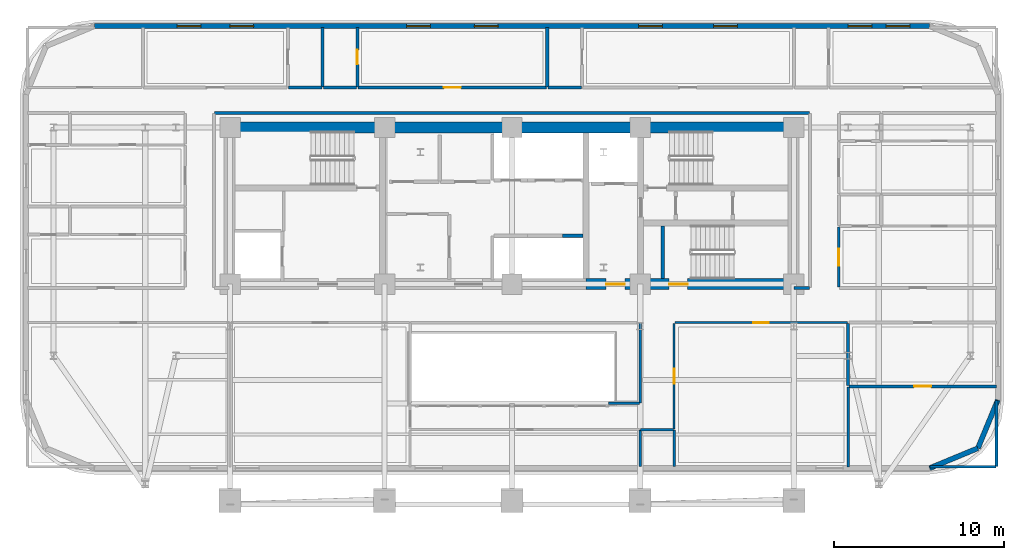
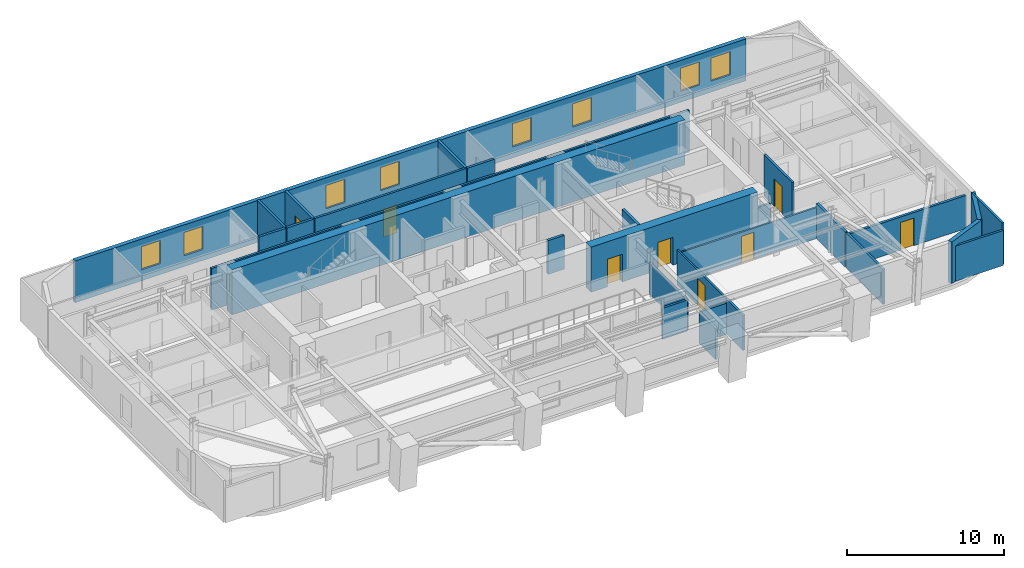
# One storey, part 9 of 14: 29 walls, 8 doors, 8 windows, 16 openings.
"""IFC4 building model written with IfcOpenShell, lengths in metres."""

from ifc_helpers import new_model, si_unit, direction, frame, frame_2d, origin, place, context, subcontext, project, spatial, rectangle, extrude, material, layer, layer_set, type_object, element, fill, save


model = new_model("IFC4")

# Units and contexts
model_context = context("Model", 3, precision=1e-05, world=origin(), true_north=direction((0.0, 1.0)))
body_context = subcontext(model_context, "Body", "Model", "MODEL_VIEW")
ifc_project = project(units=[si_unit("LENGTHUNIT", "METRE"), si_unit("AREAUNIT", "SQUARE_METRE"), si_unit("VOLUMEUNIT", "CUBIC_METRE"), si_unit("PLANEANGLEUNIT", "RADIAN"), si_unit("MASSUNIT", "GRAM", prefix="KILO")], contexts=[model_context])

# Site, building, storey
site_placement = place(None, origin())
site = spatial("IfcSite", under=ifc_project, at=site_placement, CompositionType="ELEMENT")
building_placement = place(site_placement, origin())
building = spatial("IfcBuilding", under=site, at=building_placement, Name="Zarnavel Station Tower", CompositionType="ELEMENT")
storey_placement = place(building_placement, frame((0.0, 0.0, 122.300048828125)))
storey = spatial("IfcBuildingStorey", under=building, at=storey_placement, Name="L33", CompositionType="ELEMENT", Elevation=122.300048828125)

# Wall
ifc_material_1 = material(Name="Concrete C60/75", Category="concrete")
ifc_layer_1 = layer(ifc_material_1, 0.64990234375)
ifc_layer_set_1 = layer_set([ifc_layer_1], Name="CW_650")
wall_type_1 = type_object("IfcWallType", Name="CW_650", PredefinedType="SHEAR", material=ifc_layer_set_1)
wall_1_placement = place(storey_placement, frame((12.14990234375, 37.050048828125, 0.0), z_axis=(0.0, 0.0, 1.0), x_axis=(1.0, 0.0, 0.0)))
element("IfcWall", 1, at=wall_1_placement, inside=storey, type_object=wall_type_1, Name="L33 Rear Core Shear Wall N", PredefinedType="SHEAR", context=body_context, shape_type="SweptSolid", body=[
    extrude(rectangle(XDim=33.22998046875, YDim=0.64990234375, at=frame_2d((16.614990234375, 0.0))), origin(), (0.0, 0.0, 1.0), 3.5),
])

# Wall, openings, doors
wall_2_placement = place(storey_placement, frame((45.3798828125, 27.820068359375, 0.0), z_axis=(0.0, 0.0, 1.0), x_axis=(-1.0, 0.0, 0.0)))
wall_2 = element("IfcWall", 2, at=wall_2_placement, inside=storey, type_object=wall_type_1, Name="L33 Rear Core Shear Wall S-E", PredefinedType="SHEAR", context=body_context, shape_type="SweptSolid", body=[
    extrude(rectangle(XDim=12.22998046875, YDim=0.64990234375, at=frame_2d((6.114990234375, 0.0))), origin(), (0.0, 0.0, 1.0), 3.5),
])
opening_1_placement = place(wall_2_placement, frame((9.929931640625, 0.0, 0.0)))
opening_1 = element("IfcOpeningElement", 3, at=opening_1_placement, cuts=wall_2, Name="Opening FD01", PredefinedType="OPENING", context=body_context, shape_type="SweptSolid", body=[
    extrude(rectangle(XDim=1.10009765625, YDim=2.14990234375, at=frame_2d((0.550048828125, 1.074951171875))), frame((0.0, 0.3349609375, 0.0), z_axis=(0.0, -1.0, 0.0), x_axis=(1.0, 0.0, 0.0)), (0.0, 0.0, 1.0), 0.669921875),
])
opening_2_placement = place(wall_2_placement, frame((6.22998046875, 0.0, 0.0)))
opening_2 = element("IfcOpeningElement", 4, at=opening_2_placement, cuts=wall_2, Name="Opening FD01", PredefinedType="OPENING", context=body_context, shape_type="SweptSolid", body=[
    extrude(rectangle(XDim=1.10009765625, YDim=2.14990234375, at=frame_2d((0.550048828125, 1.074951171875))), frame((0.0, 0.3349609375, 0.0), z_axis=(0.0, -1.0, 0.0), x_axis=(1.0, 0.0, 0.0)), (0.0, 0.0, 1.0), 0.669921875),
])
ifc_material_2 = material(Name="Painted Galvanised Steel and Hardwood Leaf", Category="steel")
door_type_1 = type_object("IfcDoorType", Name="ID_STAIR_1100", OperationType="NOTDEFINED", PredefinedType="DOOR", material=ifc_material_2)
door_1_placement = place(opening_1_placement, origin())
door_1 = element("IfcDoor", 5, at=door_1_placement, inside=storey, type_object=door_type_1, Name="L33 East Firefighting Lobby Door", OperationType="SINGLE_SWING_LEFT", OverallHeight=2.14990234375, OverallWidth=1.10009765625, PredefinedType="DOOR", context=body_context, shape_type="SweptSolid", body=[
    extrude(rectangle(XDim=1.10009765625, YDim=2.14990234375, at=frame_2d((0.550048828125, 1.074951171875))), frame((0.0, 0.02490234375, 0.0), z_axis=(0.0, -1.0, 0.0), x_axis=(1.0, 0.0, 0.0)), (0.0, 0.0, 1.0), 0.050048828125),
])
fill(opening_1, door_1)
door_2_placement = place(opening_2_placement, origin())
door_2 = element("IfcDoor", 6, at=door_2_placement, inside=storey, type_object=door_type_1, Name="L33 Stair ST3 Corridor Fire Door", OperationType="SINGLE_SWING_RIGHT", OverallHeight=2.14990234375, OverallWidth=1.10009765625, PredefinedType="DOOR", context=body_context, shape_type="SweptSolid", body=[
    extrude(rectangle(XDim=1.10009765625, YDim=2.14990234375, at=frame_2d((0.550048828125, 1.074951171875))), frame((0.0, 0.02490234375, 0.0), z_axis=(0.0, -1.0, 0.0), x_axis=(1.0, 0.0, 0.0)), (0.0, 0.0, 1.0), 0.050048828125),
])
fill(opening_2, door_2)

# Walls
ifc_material_3 = material(Name="Precast concrete C45/55 (Dark Basalt Finish)", Category="masonry")
ifc_layer_2 = layer(ifc_material_3, 0.300048828125)
ifc_layer_set_2 = layer_set([ifc_layer_2], Name="EW_BASALT_300")
wall_type_2 = type_object("IfcWallType", Name="EW_BASALT_300", PredefinedType="SOLIDWALL", material=ifc_layer_set_2)
wall_3_placement = place(storey_placement, frame((56.24267578125, 18.157470703125, 0.0), z_axis=(0.0, 0.0, 1.0), x_axis=(-0.923882414032, -0.382676475685, 0.0)))
element("IfcWall", 7, at=wall_3_placement, inside=storey, type_object=wall_type_2, Name="L33 Exterior Basalt Masonry Frame Wall 01", PredefinedType="SOLIDWALL", context=body_context, shape_type="SweptSolid", body=[
    extrude(rectangle(XDim=3.076904296875, YDim=0.300048828125, at=frame_2d((1.53857421875, 0.0))), origin(), (0.0, 0.0, 1.0), 3.239990234375),
])
wall_4_placement = place(storey_placement, frame((57.419921875, 21.0, 0.0), z_axis=(0.0, 0.0, 1.0), x_axis=(-0.382636798336, -0.92389884758, 0.0)))
element("IfcWall", 8, at=wall_4_placement, inside=storey, type_object=wall_type_2, Name="L33 Exterior Basalt Masonry Frame Wall 02", PredefinedType="SOLIDWALL", context=body_context, shape_type="SweptSolid", body=[
    extrude(rectangle(XDim=3.07666015625, YDim=0.300048828125, at=frame_2d((1.538330078125, 0.0))), origin(), (0.0, 0.0, 1.0), 3.239990234375),
])

# Wall, openings, windows
wall_5_placement = place(storey_placement, frame((4.199951171875, 43.02001953125, 0.0), z_axis=(0.0, 0.0, 1.0), x_axis=(1.0, 0.0, 0.0)))
wall_5 = element("IfcWall", 9, at=wall_5_placement, inside=storey, type_object=wall_type_2, Name="L33 Exterior Basalt Masonry Frame Wall 06", PredefinedType="SOLIDWALL", context=body_context, shape_type="SweptSolid", body=[
    extrude(rectangle(XDim=49.199951171875, YDim=0.300048828125, at=frame_2d((24.60009765625, 0.0))), origin(), (0.0, 0.0, 1.0), 3.239990234375),
])
opening_3_placement = place(wall_5_placement, frame((4.87158203125, 0.0, 0.85009765625)))
opening_3 = element("IfcOpeningElement", 10, at=opening_3_placement, cuts=wall_5, Name="Opening WN01", PredefinedType="OPENING", context=body_context, shape_type="SweptSolid", body=[
    extrude(rectangle(XDim=1.39990234375, YDim=1.800048828125, at=frame_2d((0.699951171875, 0.89990234375))), frame((0.0, 0.159912109375, 0.0), z_axis=(0.0, -1.0, 0.0), x_axis=(1.0, 0.0, 0.0)), (0.0, 0.0, 1.0), 0.320068359375),
])
opening_4_placement = place(wall_5_placement, frame((7.9833984375, 0.0, 0.85009765625)))
opening_4 = element("IfcOpeningElement", 11, at=opening_4_placement, cuts=wall_5, Name="Opening WN01", PredefinedType="OPENING", context=body_context, shape_type="SweptSolid", body=[
    extrude(rectangle(XDim=1.39990234375, YDim=1.800048828125, at=frame_2d((0.699951171875, 0.89990234375))), frame((0.0, 0.159912109375, 0.0), z_axis=(0.0, -1.0, 0.0), x_axis=(1.0, 0.0, 0.0)), (0.0, 0.0, 1.0), 0.320068359375),
])
opening_5_placement = place(wall_5_placement, frame((18.388916015625, 0.0, 0.85009765625)))
opening_5 = element("IfcOpeningElement", 12, at=opening_5_placement, cuts=wall_5, Name="Opening WN01", PredefinedType="OPENING", context=body_context, shape_type="SweptSolid", body=[
    extrude(rectangle(XDim=1.39990234375, YDim=1.800048828125, at=frame_2d((0.699951171875, 0.89990234375))), frame((0.0, 0.159912109375, 0.0), z_axis=(0.0, -1.0, 0.0), x_axis=(1.0, 0.0, 0.0)), (0.0, 0.0, 1.0), 0.320068359375),
])
opening_6_placement = place(wall_5_placement, frame((22.383056640625, 0.0, 0.85009765625)))
opening_6 = element("IfcOpeningElement", 13, at=opening_6_placement, cuts=wall_5, Name="Opening WN01", PredefinedType="OPENING", context=body_context, shape_type="SweptSolid", body=[
    extrude(rectangle(XDim=1.39990234375, YDim=1.800048828125, at=frame_2d((0.699951171875, 0.89990234375))), frame((0.0, 0.159912109375, 0.0), z_axis=(0.0, -1.0, 0.0), x_axis=(1.0, 0.0, 0.0)), (0.0, 0.0, 1.0), 0.320068359375),
])
opening_7_placement = place(wall_5_placement, frame((32.05126953125, 0.0, 0.85009765625)))
opening_7 = element("IfcOpeningElement", 14, at=opening_7_placement, cuts=wall_5, Name="Opening WN01", PredefinedType="OPENING", context=body_context, shape_type="SweptSolid", body=[
    extrude(rectangle(XDim=1.39990234375, YDim=1.800048828125, at=frame_2d((0.699951171875, 0.89990234375))), frame((0.0, 0.159912109375, 0.0), z_axis=(0.0, -1.0, 0.0), x_axis=(1.0, 0.0, 0.0)), (0.0, 0.0, 1.0), 0.320068359375),
])
opening_8_placement = place(wall_5_placement, frame((36.4755859375, 0.0, 0.85009765625)))
opening_8 = element("IfcOpeningElement", 15, at=opening_8_placement, cuts=wall_5, Name="Opening WN01", PredefinedType="OPENING", context=body_context, shape_type="SweptSolid", body=[
    extrude(rectangle(XDim=1.39990234375, YDim=1.800048828125, at=frame_2d((0.699951171875, 0.89990234375))), frame((0.0, 0.159912109375, 0.0), z_axis=(0.0, -1.0, 0.0), x_axis=(1.0, 0.0, 0.0)), (0.0, 0.0, 1.0), 0.320068359375),
])
opening_9_placement = place(wall_5_placement, frame((44.393310546875, 0.0, 0.85009765625)))
opening_9 = element("IfcOpeningElement", 16, at=opening_9_placement, cuts=wall_5, Name="Opening WN01", PredefinedType="OPENING", context=body_context, shape_type="SweptSolid", body=[
    extrude(rectangle(XDim=1.39990234375, YDim=1.800048828125, at=frame_2d((0.699951171875, 0.89990234375))), frame((0.0, 0.159912109375, 0.0), z_axis=(0.0, -1.0, 0.0), x_axis=(1.0, 0.0, 0.0)), (0.0, 0.0, 1.0), 0.320068359375),
])
opening_10_placement = place(wall_5_placement, frame((46.63671875, 0.0, 0.85009765625)))
opening_10 = element("IfcOpeningElement", 17, at=opening_10_placement, cuts=wall_5, Name="Opening WN01", PredefinedType="OPENING", context=body_context, shape_type="SweptSolid", body=[
    extrude(rectangle(XDim=1.39990234375, YDim=1.800048828125, at=frame_2d((0.699951171875, 0.89990234375))), frame((0.0, 0.159912109375, 0.0), z_axis=(0.0, -1.0, 0.0), x_axis=(1.0, 0.0, 0.0)), (0.0, 0.0, 1.0), 0.320068359375),
])
ifc_material_4 = material(Name="Thermally Broken Black Aluminium and Low-E Dark Glass", Category="aluminium")
window_type = type_object("IfcWindowType", Name="WN_1400x1800", PartitioningType="DOUBLE_PANEL_VERTICAL", PredefinedType="WINDOW", material=ifc_material_4)
window_1_placement = place(opening_3_placement, origin())
window_1 = element("IfcWindow", 18, at=window_1_placement, inside=storey, type_object=window_type, Name="L33 Recessed Facade Window 01", OverallHeight=1.800048828125, OverallWidth=1.39990234375, PartitioningType="SINGLE_PANEL", PredefinedType="WINDOW", context=body_context, shape_type="SweptSolid", body=[
    extrude(rectangle(XDim=1.39990234375, YDim=1.800048828125, at=frame_2d((0.699951171875, 0.89990234375))), frame((0.0, 0.030029296875, 0.0), z_axis=(0.0, -1.0, 0.0), x_axis=(1.0, 0.0, 0.0)), (0.0, 0.0, 1.0), 0.06005859375),
])
fill(opening_3, window_1)
window_2_placement = place(opening_4_placement, origin())
window_2 = element("IfcWindow", 19, at=window_2_placement, inside=storey, type_object=window_type, Name="L33 Recessed Facade Window 02", OverallHeight=1.800048828125, OverallWidth=1.39990234375, PartitioningType="SINGLE_PANEL", PredefinedType="WINDOW", context=body_context, shape_type="SweptSolid", body=[
    extrude(rectangle(XDim=1.39990234375, YDim=1.800048828125, at=frame_2d((0.699951171875, 0.89990234375))), frame((0.0, 0.030029296875, 0.0), z_axis=(0.0, -1.0, 0.0), x_axis=(1.0, 0.0, 0.0)), (0.0, 0.0, 1.0), 0.06005859375),
])
fill(opening_4, window_2)
window_3_placement = place(opening_5_placement, origin())
window_3 = element("IfcWindow", 20, at=window_3_placement, inside=storey, type_object=window_type, Name="L33 Recessed Facade Window 03", OverallHeight=1.800048828125, OverallWidth=1.39990234375, PartitioningType="SINGLE_PANEL", PredefinedType="WINDOW", context=body_context, shape_type="SweptSolid", body=[
    extrude(rectangle(XDim=1.39990234375, YDim=1.800048828125, at=frame_2d((0.699951171875, 0.89990234375))), frame((0.0, 0.030029296875, 0.0), z_axis=(0.0, -1.0, 0.0), x_axis=(1.0, 0.0, 0.0)), (0.0, 0.0, 1.0), 0.06005859375),
])
fill(opening_5, window_3)
window_4_placement = place(opening_6_placement, origin())
window_4 = element("IfcWindow", 21, at=window_4_placement, inside=storey, type_object=window_type, Name="L33 Recessed Facade Window 04", OverallHeight=1.800048828125, OverallWidth=1.39990234375, PartitioningType="SINGLE_PANEL", PredefinedType="WINDOW", context=body_context, shape_type="SweptSolid", body=[
    extrude(rectangle(XDim=1.39990234375, YDim=1.800048828125, at=frame_2d((0.699951171875, 0.89990234375))), frame((0.0, 0.030029296875, 0.0), z_axis=(0.0, -1.0, 0.0), x_axis=(1.0, 0.0, 0.0)), (0.0, 0.0, 1.0), 0.06005859375),
])
fill(opening_6, window_4)
window_5_placement = place(opening_7_placement, origin())
window_5 = element("IfcWindow", 22, at=window_5_placement, inside=storey, type_object=window_type, Name="L33 Recessed Facade Window 05", OverallHeight=1.800048828125, OverallWidth=1.39990234375, PartitioningType="SINGLE_PANEL", PredefinedType="WINDOW", context=body_context, shape_type="SweptSolid", body=[
    extrude(rectangle(XDim=1.39990234375, YDim=1.800048828125, at=frame_2d((0.699951171875, 0.89990234375))), frame((0.0, 0.030029296875, 0.0), z_axis=(0.0, -1.0, 0.0), x_axis=(1.0, 0.0, 0.0)), (0.0, 0.0, 1.0), 0.06005859375),
])
fill(opening_7, window_5)
window_6_placement = place(opening_8_placement, origin())
window_6 = element("IfcWindow", 23, at=window_6_placement, inside=storey, type_object=window_type, Name="L33 Recessed Facade Window 06", OverallHeight=1.800048828125, OverallWidth=1.39990234375, PartitioningType="SINGLE_PANEL", PredefinedType="WINDOW", context=body_context, shape_type="SweptSolid", body=[
    extrude(rectangle(XDim=1.39990234375, YDim=1.800048828125, at=frame_2d((0.699951171875, 0.89990234375))), frame((0.0, 0.030029296875, 0.0), z_axis=(0.0, -1.0, 0.0), x_axis=(1.0, 0.0, 0.0)), (0.0, 0.0, 1.0), 0.06005859375),
])
fill(opening_8, window_6)
window_7_placement = place(opening_9_placement, origin())
window_7 = element("IfcWindow", 24, at=window_7_placement, inside=storey, type_object=window_type, Name="L33 Recessed Facade Window 07", OverallHeight=1.800048828125, OverallWidth=1.39990234375, PartitioningType="SINGLE_PANEL", PredefinedType="WINDOW", context=body_context, shape_type="SweptSolid", body=[
    extrude(rectangle(XDim=1.39990234375, YDim=1.800048828125, at=frame_2d((0.699951171875, 0.89990234375))), frame((0.0, 0.030029296875, 0.0), z_axis=(0.0, -1.0, 0.0), x_axis=(1.0, 0.0, 0.0)), (0.0, 0.0, 1.0), 0.06005859375),
])
fill(opening_9, window_7)
window_8_placement = place(opening_10_placement, origin())
window_8 = element("IfcWindow", 25, at=window_8_placement, inside=storey, type_object=window_type, Name="L33 Recessed Facade Window 08", OverallHeight=1.800048828125, OverallWidth=1.39990234375, PartitioningType="SINGLE_PANEL", PredefinedType="WINDOW", context=body_context, shape_type="SweptSolid", body=[
    extrude(rectangle(XDim=1.39990234375, YDim=1.800048828125, at=frame_2d((0.699951171875, 0.89990234375))), frame((0.0, 0.030029296875, 0.0), z_axis=(0.0, -1.0, 0.0), x_axis=(1.0, 0.0, 0.0)), (0.0, 0.0, 1.0), 0.06005859375),
])
fill(opening_10, window_8)

# Wall, opening, door
ifc_material_5 = material(Name="Gypsum Twin-Stud Acoustic Fire Partition", Category="concrete")
ifc_layer_3 = layer(ifc_material_5, 0.159912109375)
ifc_layer_set_3 = layer_set([ifc_layer_3], Name="PT_DEMISE_160")
wall_type_3 = type_object("IfcWallType", Name="PT_DEMISE_160", PredefinedType="PARTITIONING", material=ifc_layer_set_3)
wall_6_placement = place(storey_placement, frame((48.050048828125, 27.639892578125, 0.0), z_axis=(0.0, 0.0, 1.0), x_axis=(0.0, 1.0, 0.0)))
wall_6 = element("IfcWall", 26, at=wall_6_placement, inside=storey, type_object=wall_type_3, Name="L33 Partition COR-E-FNE1R", PredefinedType="PARTITIONING", context=body_context, shape_type="SweptSolid", body=[
    extrude(rectangle(XDim=3.55615234375, YDim=0.159912109375, at=frame_2d((1.778076171875, 0.0))), origin(), (0.0, 0.0, 1.0), 3.239990234375),
])
opening_11_placement = place(wall_6_placement, frame((1.278076171875, 0.0, 0.0)))
opening_11 = element("IfcOpeningElement", 27, at=opening_11_placement, cuts=wall_6, Name="Opening FD02", PredefinedType="OPENING", context=body_context, shape_type="SweptSolid", body=[
    extrude(rectangle(XDim=1.0, YDim=2.14990234375, at=frame_2d((0.5, 1.074951171875))), frame((0.0, 0.08984375, 0.0), z_axis=(0.0, -1.0, 0.0), x_axis=(1.0, 0.0, 0.0)), (0.0, 0.0, 1.0), 0.179931640625),
])
ifc_material_6 = material(Name="Painted Galvanised Steel and Hardwood Leaf", Category="steel")
door_type_2 = type_object("IfcDoorType", Name="ID_ENTRY_1000", OperationType="NOTDEFINED", PredefinedType="DOOR", material=ifc_material_6)
door_3_placement = place(opening_11_placement, origin())
door_3 = element("IfcDoor", 28, at=door_3_placement, inside=storey, type_object=door_type_2, Name="L33 Door COR-E-FNE1R", OperationType="SINGLE_SWING_RIGHT", OverallHeight=2.14990234375, OverallWidth=1.0, PredefinedType="DOOR", context=body_context, shape_type="SweptSolid", body=[
    extrude(rectangle(XDim=1.0, YDim=2.14990234375, at=frame_2d((0.5, 1.074951171875))), frame((0.0, 0.02490234375, 0.0), z_axis=(0.0, -1.0, 0.0), x_axis=(1.0, 0.0, 0.0)), (0.0, 0.0, 1.0), 0.050048828125),
])
fill(opening_11, door_3)

wall_7_placement = place(storey_placement, frame((19.735107421875, 39.39990234375, 0.0), z_axis=(0.0, 0.0, 1.0), x_axis=(1.0, 0.0, 0.0)))
wall_7 = element("IfcWall", 29, at=wall_7_placement, inside=storey, type_object=wall_type_3, Name="L33 Partition COR-N-HN2R", PredefinedType="PARTITIONING", context=body_context, shape_type="SweptSolid", body=[
    extrude(rectangle(XDim=11.101806640625, YDim=0.159912109375, at=frame_2d((5.55078125, 0.0))), origin(), (0.0, 0.0, 1.0), 3.239990234375),
])
opening_12_placement = place(wall_7_placement, frame((5.051025390625, 0.0, 0.0)))
opening_12 = element("IfcOpeningElement", 30, at=opening_12_placement, cuts=wall_7, Name="Opening FD02", PredefinedType="OPENING", context=body_context, shape_type="SweptSolid", body=[
    extrude(rectangle(XDim=1.0, YDim=2.14990234375, at=frame_2d((0.5, 1.074951171875))), frame((0.0, 0.08984375, 0.0), z_axis=(0.0, -1.0, 0.0), x_axis=(1.0, 0.0, 0.0)), (0.0, 0.0, 1.0), 0.179931640625),
])
door_4_placement = place(opening_12_placement, origin())
door_4 = element("IfcDoor", 31, at=door_4_placement, inside=storey, type_object=door_type_2, Name="L33 Door COR-N-HN2R", OperationType="SINGLE_SWING_RIGHT", OverallHeight=2.14990234375, OverallWidth=1.0, PredefinedType="DOOR", context=body_context, shape_type="SweptSolid", body=[
    extrude(rectangle(XDim=1.0, YDim=2.14990234375, at=frame_2d((0.5, 1.074951171875))), frame((0.0, 0.02490234375, 0.0), z_axis=(0.0, -1.0, 0.0), x_axis=(1.0, 0.0, 0.0)), (0.0, 0.0, 1.0), 0.050048828125),
])
fill(opening_12, door_4)

# Walls
wall_8_placement = place(storey_placement, frame((48.60009765625, 17.06005859375, 0.0), z_axis=(0.0, 0.0, 1.0), x_axis=(0.0, 1.0, 0.0)))
element("IfcWall", 32, at=wall_8_placement, inside=storey, type_object=wall_type_3, Name="L33 Partition L33DIN-L33STR", PredefinedType="PARTITIONING", context=body_context, shape_type="SweptSolid", body=[
    extrude(rectangle(XDim=4.699951171875, YDim=0.159912109375, at=frame_2d((2.35009765625, 0.0))), origin(), (0.0, 0.0, 1.0), 2.719970703125),
])
wall_9_placement = place(storey_placement, frame((45.409912109375, 27.60009765625, 0.0), z_axis=(0.0, 0.0, 1.0), x_axis=(1.0, 0.0, 0.0)))
element("IfcWall", 33, at=wall_9_placement, inside=storey, type_object=wall_type_3, Name="L33 Enclosure Wall COR-S", PredefinedType="PARTITIONING", context=body_context, shape_type="SweptSolid", body=[
    extrude(rectangle(XDim=0.91015625, YDim=0.159912109375, at=frame_2d((0.455078125, 0.0))), origin(), (0.0, 0.0, 1.0), 2.280029296875),
])
wall_10_placement = place(storey_placement, frame((11.280029296875, 37.89990234375, 0.0), z_axis=(0.0, 0.0, 1.0), x_axis=(1.0, 0.0, 0.0)))
element("IfcWall", 34, at=wall_10_placement, inside=storey, type_object=wall_type_3, Name="L33 Enclosure Wall COR-N", PredefinedType="PARTITIONING", context=body_context, shape_type="SweptSolid", body=[
    extrude(rectangle(XDim=35.0400390625, YDim=0.159912109375, at=frame_2d((17.52001953125, 0.0))), origin(), (0.0, 0.0, 1.0), 3.239990234375),
])
wall_11_placement = place(storey_placement, frame((36.3798828125, 19.25, 0.0), z_axis=(0.0, 0.0, 1.0), x_axis=(1.0, 0.0, 0.0)))
element("IfcWall", 35, at=wall_11_placement, inside=storey, type_object=wall_type_3, Name="L33 Enclosure Wall COR-AE", PredefinedType="PARTITIONING", context=body_context, shape_type="SweptSolid", body=[
    extrude(rectangle(XDim=1.940185546875, YDim=0.159912109375, at=frame_2d((0.97021484375, 0.0))), origin(), (0.0, 0.0, 1.0), 2.406005859375),
])
wall_12_placement = place(storey_placement, frame((36.35009765625, 20.830078125, 0.0), z_axis=(0.0, 0.0, 1.0), x_axis=(0.0, 1.0, 0.0)))
element("IfcWall", 36, at=wall_12_placement, inside=storey, type_object=wall_type_3, Name="L33 Enclosure Wall COR-AE", PredefinedType="PARTITIONING", context=body_context, shape_type="SweptSolid", body=[
    extrude(rectangle(XDim=4.68994140625, YDim=0.159912109375, at=frame_2d((2.344970703125, 0.0))), origin(), (0.0, 0.0, 1.0), 2.406005859375),
])
wall_13_placement = place(storey_placement, frame((34.47998046875, 20.800048828125, 0.0), z_axis=(0.0, 0.0, 1.0), x_axis=(1.0, 0.0, 0.0)))
element("IfcWall", 37, at=wall_13_placement, inside=storey, type_object=wall_type_3, Name="L33 Enclosure Wall COR-AS", PredefinedType="PARTITIONING", context=body_context, shape_type="SweptSolid", body=[
    extrude(rectangle(XDim=1.840087890625, YDim=0.159912109375, at=frame_2d((0.919921875, 0.0))), origin(), (0.0, 0.0, 1.0), 2.406005859375),
])
wall_14_placement = place(storey_placement, frame((36.35009765625, 17.090087890625, 0.0), z_axis=(0.0, 0.0, 1.0), x_axis=(0.0, 1.0, 0.0)))
element("IfcWall", 38, at=wall_14_placement, inside=storey, type_object=wall_type_3, Name="L33 Enclosure Wall L33TEA", PredefinedType="PARTITIONING", context=body_context, shape_type="SweptSolid", body=[
    extrude(rectangle(XDim=2.1298828125, YDim=0.159912109375, at=frame_2d((1.06494140625, 0.0))), origin(), (0.0, 0.0, 1.0), 2.406005859375),
])
wall_15_placement = place(storey_placement, frame((38.35009765625, 17.090087890625, 0.0), z_axis=(0.0, 0.0, 1.0), x_axis=(0.0, 1.0, 0.0)))
element("IfcWall", 39, at=wall_15_placement, inside=storey, type_object=wall_type_3, Name="L33 Enclosure Wall L33DIN", PredefinedType="PARTITIONING", context=body_context, shape_type="SweptSolid", body=[
    extrude(rectangle(XDim=2.1298828125, YDim=0.159912109375, at=frame_2d((1.06494140625, 0.0))), origin(), (0.0, 0.0, 1.0), 2.719970703125),
])
wall_16_placement = place(storey_placement, frame((53.429931640625, 17.06005859375, 0.0), z_axis=(0.0, 0.0, 1.0), x_axis=(1.0, 0.0, 0.0)))
element("IfcWall", 40, at=wall_16_placement, inside=storey, type_object=wall_type_3, Name="L33 Enclosure Wall L33STR", PredefinedType="PARTITIONING", context=body_context, shape_type="SweptSolid", body=[
    extrude(rectangle(XDim=3.880126953125, YDim=0.159912109375, at=frame_2d((1.93994140625, 0.0))), origin(), (0.0, 0.0, 1.0), 2.719970703125),
])
wall_17_placement = place(storey_placement, frame((57.340087890625, 17.090087890625, 0.0), z_axis=(0.0, 0.0, 1.0), x_axis=(0.0, 1.0, 0.0)))
element("IfcWall", 41, at=wall_17_placement, inside=storey, type_object=wall_type_3, Name="L33 Enclosure Wall L33STR", PredefinedType="PARTITIONING", context=body_context, shape_type="SweptSolid", body=[
    extrude(rectangle(XDim=3.8798828125, YDim=0.159912109375, at=frame_2d((1.93994140625, 0.0))), origin(), (0.0, 0.0, 1.0), 3.239990234375),
])

# Wall, opening, door
ifc_material_7 = material(Name="Gypsum Metal-Stud Interior Partition", Category="concrete")
ifc_layer_4 = layer(ifc_material_7, 0.1201171875)
ifc_layer_set_4 = layer_set([ifc_layer_4], Name="PT_ROOM_120")
wall_type_4 = type_object("IfcWallType", Name="PT_ROOM_120", PredefinedType="PARTITIONING", material=ifc_layer_set_4)
wall_18_placement = place(storey_placement, frame((38.389892578125, 25.550048828125, 0.0), z_axis=(0.0, 0.0, 1.0), x_axis=(1.0, 0.0, 0.0)))
wall_18 = element("IfcWall", 42, at=wall_18_placement, inside=storey, type_object=wall_type_4, Name="L33 Partition COR-S-L33DIN", PredefinedType="PARTITIONING", context=body_context, shape_type="SweptSolid", body=[
    extrude(rectangle(XDim=10.170166015625, YDim=0.1201171875, at=frame_2d((5.0849609375, 0.0))), origin(), (0.0, 0.0, 1.0), 2.406005859375),
])
opening_13_placement = place(wall_18_placement, frame((4.635009765625, 0.0, 0.0)))
opening_13 = element("IfcOpeningElement", 43, at=opening_13_placement, cuts=wall_18, Name="Opening ID01", PredefinedType="OPENING", context=body_context, shape_type="SweptSolid", body=[
    extrude(rectangle(XDim=0.89990234375, YDim=2.10009765625, at=frame_2d((0.449951171875, 1.050048828125))), frame((0.0, 0.070068359375, 0.0), z_axis=(0.0, -1.0, 0.0), x_axis=(1.0, 0.0, 0.0)), (0.0, 0.0, 1.0), 0.14013671875),
])
ifc_material_8 = material(Name="Painted Galvanised Steel and Hardwood Leaf", Category="steel")
door_type_3 = type_object("IfcDoorType", Name="ID_ROOM_900", OperationType="NOTDEFINED", PredefinedType="DOOR", material=ifc_material_8)
door_5_placement = place(opening_13_placement, origin())
door_5 = element("IfcDoor", 44, at=door_5_placement, inside=storey, type_object=door_type_3, Name="L33 Door COR-S-L33DIN", OperationType="SINGLE_SWING_RIGHT", OverallHeight=2.10009765625, OverallWidth=0.89990234375, PredefinedType="DOOR", context=body_context, shape_type="SweptSolid", body=[
    extrude(rectangle(XDim=0.89990234375, YDim=2.10009765625, at=frame_2d((0.449951171875, 1.050048828125))), frame((0.0, 0.02490234375, 0.0), z_axis=(0.0, -1.0, 0.0), x_axis=(1.0, 0.0, 0.0)), (0.0, 0.0, 1.0), 0.050048828125),
])
fill(opening_13, door_5)

wall_19_placement = place(storey_placement, frame((38.35009765625, 19.2900390625, 0.0), z_axis=(0.0, 0.0, 1.0), x_axis=(0.0, 1.0, 0.0)))
wall_19 = element("IfcWall", 45, at=wall_19_placement, inside=storey, type_object=wall_type_4, Name="L33 Partition COR-AE-L33DIN", PredefinedType="PARTITIONING", context=body_context, shape_type="SweptSolid", body=[
    extrude(rectangle(XDim=6.219970703125, YDim=0.1201171875, at=frame_2d((3.10986328125, 0.0))), origin(), (0.0, 0.0, 1.0), 2.719970703125),
])
opening_14_placement = place(wall_19_placement, frame((2.659912109375, 0.0, 0.0)))
opening_14 = element("IfcOpeningElement", 46, at=opening_14_placement, cuts=wall_19, Name="Opening ID01", PredefinedType="OPENING", context=body_context, shape_type="SweptSolid", body=[
    extrude(rectangle(XDim=0.89990234375, YDim=2.10009765625, at=frame_2d((0.449951171875, 1.050048828125))), frame((0.0, 0.070068359375, 0.0), z_axis=(0.0, -1.0, 0.0), x_axis=(1.0, 0.0, 0.0)), (0.0, 0.0, 1.0), 0.14013671875),
])
door_6_placement = place(opening_14_placement, origin())
door_6 = element("IfcDoor", 47, at=door_6_placement, inside=storey, type_object=door_type_3, Name="L33 Door COR-AE-L33DIN", OperationType="SINGLE_SWING_LEFT", OverallHeight=2.10009765625, OverallWidth=0.89990234375, PredefinedType="DOOR", context=body_context, shape_type="SweptSolid", body=[
    extrude(rectangle(XDim=0.89990234375, YDim=2.10009765625, at=frame_2d((0.449951171875, 1.050048828125))), frame((0.0, 0.02490234375, 0.0), z_axis=(0.0, -1.0, 0.0), x_axis=(1.0, 0.0, 0.0)), (0.0, 0.0, 1.0), 0.050048828125),
])
fill(opening_14, door_6)

# Walls
ifc_material_9 = material(Name="Precast concrete C45/55 (Fire Shaft Blockwork)", Category="masonry")
ifc_layer_5 = layer(ifc_material_9, 0.199951171875)
ifc_layer_set_5 = layer_set([ifc_layer_5], Name="PT_SHAFT_200")
wall_type_5 = type_object("IfcWallType", Name="PT_SHAFT_200", PredefinedType="PARTITIONING", material=ifc_layer_set_5)
wall_20_placement = place(storey_placement, frame((31.77490234375, 30.669921875, 0.0), z_axis=(0.0, 0.0, 1.0), x_axis=(1.0, 0.0, 0.0)))
element("IfcWall", 48, at=wall_20_placement, inside=storey, type_object=wall_type_5, Name="L33 Lift PL-H3 Shaft Front Wall", PredefinedType="PARTITIONING", context=body_context, shape_type="SweptSolid", body=[
    extrude(rectangle(XDim=1.2001953125, YDim=0.199951171875, at=frame_2d((0.60009765625, 0.0))), origin(), (0.0, 0.0, 1.0), 2.619873046875),
])
wall_21_placement = place(storey_placement, frame((37.679931640625, 28.14501953125, 0.0), z_axis=(0.0, 0.0, 1.0), x_axis=(0.0, 1.0, 0.0)))
element("IfcWall", 49, at=wall_21_placement, inside=storey, type_object=wall_type_5, Name="L33 Stair ST3 West Shaft Wall", PredefinedType="PARTITIONING", context=body_context, shape_type="SweptSolid", body=[
    extrude(rectangle(XDim=3.10498046875, YDim=0.199951171875, at=frame_2d((1.552490234375, 0.0))), origin(), (0.0, 0.0, 1.0), 2.619873046875),
])
ifc_material_10 = material(Name="Moisture-Resistant Plumbing Chase Wall", Category="concrete")
ifc_layer_6 = layer(ifc_material_10, 0.179931640625)
ifc_layer_set_6 = layer_set([ifc_layer_6], Name="PW_PLUMB_180")
wall_type_6 = type_object("IfcWallType", Name="PW_PLUMB_180", PredefinedType="PLUMBINGWALL", material=ifc_layer_set_6)
for number, where, z_axis, x_axis, name in (
    (50, (15.635009765625, 39.39990234375, 0.0), (0.0, 0.0, 1.0), (1.0, 0.0, 0.0), "L33 Partition COR-N-HN1B"),
    (51, (17.68505859375, 39.39990234375, 0.0), (0.0, 0.0, 1.0), (1.0, 0.0, 0.0), "L33 Partition COR-N-HN2B"),
    (52, (30.9169921875, 39.39990234375, 0.0), (0.0, 0.0, 1.0), (1.0, 0.0, 0.0), "L33 Partition COR-N-HN3B"),
):
    element("IfcWall", number, at=place(storey_placement, frame(where, z_axis=z_axis, x_axis=x_axis)), inside=storey, type_object=wall_type_6, Name=name, PredefinedType="PLUMBINGWALL", context=body_context, shape_type="SweptSolid", body=[
        extrude(rectangle(XDim=1.969970703125, YDim=0.179931640625, at=frame_2d((0.98486328125, 0.0))), origin(), (0.0, 0.0, 1.0), 3.239990234375),
    ])
wall_22_placement = place(storey_placement, frame((17.64501953125, 39.43994140625, 0.0), z_axis=(0.0, 0.0, 1.0), x_axis=(0.0, 1.0, 0.0)))
element("IfcWall", 53, at=wall_22_placement, inside=storey, type_object=wall_type_6, Name="L33 Partition HN1B-HN2B", PredefinedType="PLUMBINGWALL", context=body_context, shape_type="SweptSolid", body=[
    extrude(rectangle(XDim=3.5, YDim=0.179931640625, at=frame_2d((1.75, 0.0))), origin(), (0.0, 0.0, 1.0), 3.239990234375),
])

# Wall, opening, door
wall_23_placement = place(storey_placement, frame((19.695068359375, 39.43994140625, 0.0), z_axis=(0.0, 0.0, 1.0), x_axis=(0.0, 1.0, 0.0)))
wall_23 = element("IfcWall", 54, at=wall_23_placement, inside=storey, type_object=wall_type_6, Name="L33 Partition HN2R-HN2B", PredefinedType="PLUMBINGWALL", context=body_context, shape_type="SweptSolid", body=[
    extrude(rectangle(XDim=3.5, YDim=0.179931640625, at=frame_2d((1.75, 0.0))), origin(), (0.0, 0.0, 1.0), 3.239990234375),
])
opening_15_placement = place(wall_23_placement, frame((1.324951171875, 0.0, 0.0)))
opening_15 = element("IfcOpeningElement", 55, at=opening_15_placement, cuts=wall_23, Name="Opening ID02", PredefinedType="OPENING", context=body_context, shape_type="SweptSolid", body=[
    extrude(rectangle(XDim=0.85009765625, YDim=2.10009765625, at=frame_2d((0.425048828125, 1.050048828125))), frame((0.0, 0.099853515625, 0.0), z_axis=(0.0, -1.0, 0.0), x_axis=(1.0, 0.0, 0.0)), (0.0, 0.0, 1.0), 0.199951171875),
])
ifc_material_11 = material(Name="Painted Galvanised Steel and Hardwood Leaf", Category="steel")
door_type_4 = type_object("IfcDoorType", Name="ID_BATH_850", OperationType="NOTDEFINED", PredefinedType="DOOR", material=ifc_material_11)
door_7_placement = place(opening_15_placement, origin())
door_7 = element("IfcDoor", 56, at=door_7_placement, inside=storey, type_object=door_type_4, Name="L33 Door HN2R-HN2B", OperationType="SINGLE_SWING_LEFT", OverallHeight=2.10009765625, OverallWidth=0.85009765625, PredefinedType="DOOR", context=body_context, shape_type="SweptSolid", body=[
    extrude(rectangle(XDim=0.85009765625, YDim=2.10009765625, at=frame_2d((0.425048828125, 1.050048828125))), frame((0.0, 0.02490234375, 0.0), z_axis=(0.0, -1.0, 0.0), x_axis=(1.0, 0.0, 0.0)), (0.0, 0.0, 1.0), 0.050048828125),
])
fill(opening_15, door_7)

# Walls
wall_24_placement = place(storey_placement, frame((30.876953125, 39.43994140625, 0.0), z_axis=(0.0, 0.0, 1.0), x_axis=(0.0, 1.0, 0.0)))
element("IfcWall", 57, at=wall_24_placement, inside=storey, type_object=wall_type_6, Name="L33 Partition HN2R-HN3B", PredefinedType="PLUMBINGWALL", context=body_context, shape_type="SweptSolid", body=[
    extrude(rectangle(XDim=3.5, YDim=0.179931640625, at=frame_2d((1.75, 0.0))), origin(), (0.0, 0.0, 1.0), 3.239990234375),
])
wall_25_placement = place(storey_placement, frame((48.60009765625, 21.840087890625, 0.0), z_axis=(0.0, 0.0, 1.0), x_axis=(0.0, 1.0, 0.0)))
element("IfcWall", 58, at=wall_25_placement, inside=storey, type_object=wall_type_6, Name="L33 Partition L33DIN-L33KIT", PredefinedType="PLUMBINGWALL", context=body_context, shape_type="SweptSolid", body=[
    extrude(rectangle(XDim=3.669921875, YDim=0.179931640625, at=frame_2d((1.8349609375, 0.0))), origin(), (0.0, 0.0, 1.0), 2.719970703125),
])

# Wall, opening, door
wall_26_placement = place(storey_placement, frame((48.639892578125, 21.800048828125, 0.0), z_axis=(0.0, 0.0, 1.0), x_axis=(1.0, 0.0, 0.0)))
wall_26 = element("IfcWall", 59, at=wall_26_placement, inside=storey, type_object=wall_type_6, Name="L33 Partition L33KIT-L33STR", PredefinedType="PLUMBINGWALL", context=body_context, shape_type="SweptSolid", body=[
    extrude(rectangle(XDim=8.7001953125, YDim=0.179931640625, at=frame_2d((4.35009765625, 0.0))), origin(), (0.0, 0.0, 1.0), 2.570068359375),
])
opening_16_placement = place(wall_26_placement, frame((3.85009765625, 0.0, 0.0)))
opening_16 = element("IfcOpeningElement", 60, at=opening_16_placement, cuts=wall_26, Name="Opening FD02", PredefinedType="OPENING", context=body_context, shape_type="SweptSolid", body=[
    extrude(rectangle(XDim=1.0, YDim=2.14990234375, at=frame_2d((0.5, 1.074951171875))), frame((0.0, 0.099853515625, 0.0), z_axis=(0.0, -1.0, 0.0), x_axis=(1.0, 0.0, 0.0)), (0.0, 0.0, 1.0), 0.199951171875),
])
door_8_placement = place(opening_16_placement, origin())
door_8 = element("IfcDoor", 61, at=door_8_placement, inside=storey, type_object=door_type_2, Name="L33 Door L33KIT-L33STR", OperationType="SINGLE_SWING_RIGHT", OverallHeight=2.14990234375, OverallWidth=1.0, PredefinedType="DOOR", context=body_context, shape_type="SweptSolid", body=[
    extrude(rectangle(XDim=1.0, YDim=2.14990234375, at=frame_2d((0.5, 1.074951171875))), frame((0.0, 0.02490234375, 0.0), z_axis=(0.0, -1.0, 0.0), x_axis=(1.0, 0.0, 0.0)), (0.0, 0.0, 1.0), 0.050048828125),
])
fill(opening_16, door_8)

save(model, "model.ifc")
